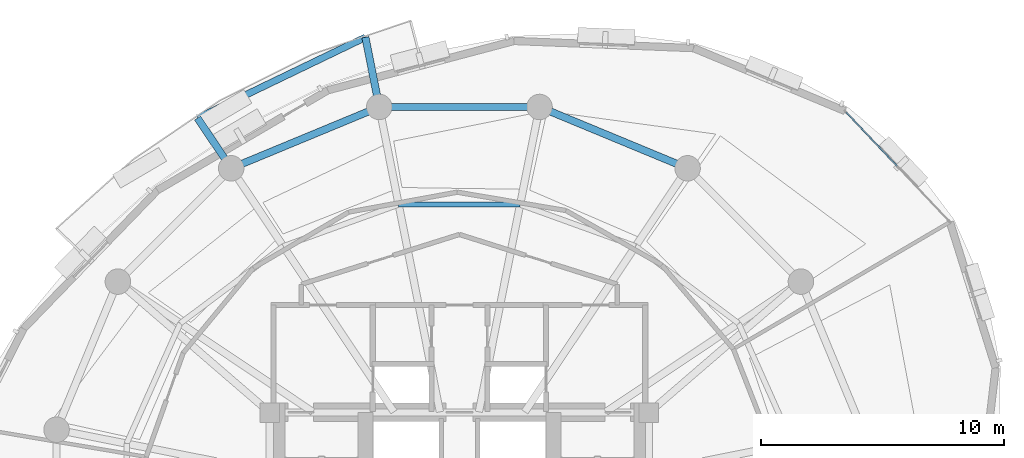
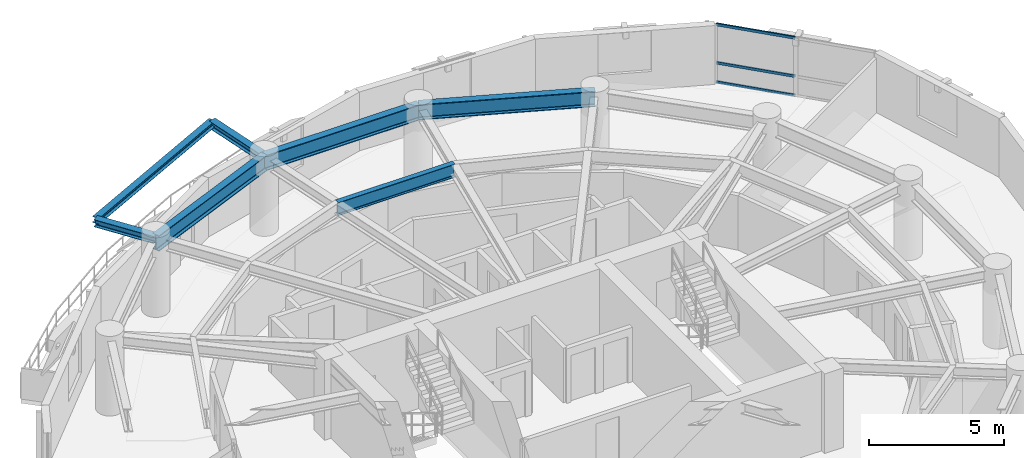
# One storey, part 7 of 14: 7 beams, 3 members, 1 element without a shape of its own.
"""IFC4 building model written with IfcOpenShell, lengths in metres."""

from ifc_helpers import new_model, si_unit, direction, frame, origin, origin_2d, place, context, subcontext, project, spatial, hollow_rectangle, i_section, extrude, material, layer, layer_set, material_profile, profile_set, type_object, element, aggregate, save


model = new_model("IFC4")

# Units and contexts
model_context = context("Model", 3, precision=1e-05, world=origin(), true_north=direction((0.0, 1.0)))
body_context = subcontext(model_context, "Body", "Model", "MODEL_VIEW")
ifc_project = project(units=[si_unit("LENGTHUNIT", "METRE"), si_unit("AREAUNIT", "SQUARE_METRE"), si_unit("VOLUMEUNIT", "CUBIC_METRE"), si_unit("PLANEANGLEUNIT", "RADIAN"), si_unit("MASSUNIT", "GRAM", prefix="KILO"), si_unit("THERMODYNAMICTEMPERATUREUNIT", "KELVIN"), si_unit("POWERUNIT", "WATT")], contexts=[model_context])

# Site, building, storey
site_placement = place(None, origin())
site = spatial("IfcSite", under=ifc_project, at=site_placement, CompositionType="ELEMENT")
building_placement = place(site_placement, origin())
building = spatial("IfcBuilding", under=site, at=building_placement, Name="Ocrelia Relay Tower", CompositionType="ELEMENT")
storey_placement = place(building_placement, frame((0.0, 0.0, 162.800048828125)))
storey = spatial("IfcBuildingStorey", under=building, at=storey_placement, Name="L38", CompositionType="ELEMENT", Elevation=162.800048828125)

# Beams
ifc_material_1 = material(Name="Steel S355", Category="steel")
ifc_material_profile_1 = material_profile(ifc_material_1, i_section(OverallWidth=0.280029296875, OverallDepth=0.27001953125, WebThickness=0.008056640625, FlangeThickness=0.012939453125, FilletRadius=0.02392578125, at=origin_2d()), Name="HEA 280")
ifc_profile_set_1 = profile_set([ifc_material_profile_1], Name="Steel S355")
beam_type_1 = type_object("IfcBeamType", Name="BM-HEA280", PredefinedType="BEAM", material=ifc_profile_set_1)
beam_1_placement = place(storey_placement, frame((30.1328125, 45.4423828125, 3.244873046875), z_axis=(-0.900981832354, -0.433856817129, 0.0), x_axis=(0.433856817129, -0.900981832354, 0.0)))
element("IfcBeam", 1, at=beam_1_placement, inside=storey, type_object=beam_type_1, Name="L39 Balcony Edge Trimmer Beam B1", PredefinedType="BEAM", context=body_context, shape_type="SweptSolid", body=[
    extrude(i_section(OverallWidth=0.280029296875, OverallDepth=0.27001953125, WebThickness=0.008056640625, FlangeThickness=0.012939453125, FilletRadius=0.02392578125, at=origin_2d()), origin(), (0.0, 0.0, 1.0), 7.661376953125),
])
ifc_material_profile_2 = material_profile(ifc_material_1, i_section(OverallWidth=0.300048828125, OverallDepth=0.330078125, WebThickness=0.009521484375, FlangeThickness=0.0166015625, FilletRadius=0.027099609375, at=origin_2d()), Name="HEA 340")
ifc_profile_set_2 = profile_set([ifc_material_profile_2], Name="Steel S355")
beam_type_2 = type_object("IfcBeamType", Name="BM-HEA340", PredefinedType="BEAM", material=ifc_profile_set_2)
beam_2_placement = place(storey_placement, frame((30.702880859375, 42.5751953125, 3.21484375), z_axis=(-0.195007828368, 0.980801685804, 0.0), x_axis=(-0.980801685804, -0.195007828368, 0.0)))
element("IfcBeam", 2, at=beam_2_placement, inside=storey, type_object=beam_type_2, Name="L39 Balcony Cantilever Beam B1-1", PredefinedType="BEAM", context=body_context, shape_type="SweptSolid", body=[
    extrude(i_section(OverallWidth=0.300048828125, OverallDepth=0.330078125, WebThickness=0.009521484375, FlangeThickness=0.0166015625, FilletRadius=0.027099609375, at=origin_2d()), origin(), (0.0, 0.0, 1.0), 2.92333984375),
])
beam_3_placement = place(storey_placement, frame((24.61083984375, 40.0517578125, 3.21484375), z_axis=(-0.555561257704, 0.831475609347, 0.0), x_axis=(-0.831475609347, -0.555561257704, 0.0)))
element("IfcBeam", 3, at=beam_3_placement, inside=storey, type_object=beam_type_2, Name="L39 Balcony Cantilever Beam B1-2", PredefinedType="BEAM", context=body_context, shape_type="SweptSolid", body=[
    extrude(i_section(OverallWidth=0.300048828125, OverallDepth=0.330078125, WebThickness=0.009521484375, FlangeThickness=0.0166015625, FilletRadius=0.027099609375, at=origin_2d()), origin(), (0.0, 0.0, 1.0), 2.485595703125),
])
ifc_material_profile_3 = material_profile(ifc_material_1, i_section(OverallWidth=0.300048828125, OverallDepth=0.699951171875, WebThickness=0.01708984375, FlangeThickness=0.031982421875, FilletRadius=0.027099609375, at=origin_2d()), Name="HEB 700")
ifc_profile_set_3 = profile_set([ifc_material_profile_3], Name="Steel S355")
beam_type_3 = type_object("IfcBeamType", Name="BM-HEB700", PredefinedType="BEAM", material=ifc_profile_set_3)
beam_4_placement = place(storey_placement, frame((43.38916015625, 40.0517578125, 3.030029296875), z_axis=(-0.923877844151, 0.382687508402, 0.0), x_axis=(-0.382687508402, -0.923877844151, 0.0)))
element("IfcBeam", 4, at=beam_4_placement, inside=storey, type_object=beam_type_3, Name="L38 Perimeter Spandrel Beam S03", PredefinedType="BEAM", context=body_context, shape_type="SweptSolid", body=[
    extrude(i_section(OverallWidth=0.300048828125, OverallDepth=0.699951171875, WebThickness=0.01708984375, FlangeThickness=0.031982421875, FilletRadius=0.027099609375, at=origin_2d()), origin(), (0.0, 0.0, 1.0), 6.593994140625),
])
beam_5_placement = place(storey_placement, frame((37.297119140625, 42.5751953125, 3.030029296875), z_axis=(-1.0, 0.0, 0.0), x_axis=(0.0, -1.0, 0.0)))
element("IfcBeam", 5, at=beam_5_placement, inside=storey, type_object=beam_type_3, Name="L38 Perimeter Spandrel Beam S04", PredefinedType="BEAM", context=body_context, shape_type="SweptSolid", body=[
    extrude(i_section(OverallWidth=0.300048828125, OverallDepth=0.699951171875, WebThickness=0.01708984375, FlangeThickness=0.031982421875, FilletRadius=0.027099609375, at=origin_2d()), origin(), (0.0, 0.0, 1.0), 6.59423828125),
])
beam_6_placement = place(storey_placement, frame((30.702880859375, 42.5751953125, 3.030029296875), z_axis=(-0.923877844151, -0.382687508402, 0.0), x_axis=(0.382687508402, -0.923877844151, 0.0)))
element("IfcBeam", 6, at=beam_6_placement, inside=storey, type_object=beam_type_3, Name="L38 Perimeter Spandrel Beam S05", PredefinedType="BEAM", context=body_context, shape_type="SweptSolid", body=[
    extrude(i_section(OverallWidth=0.300048828125, OverallDepth=0.699951171875, WebThickness=0.01708984375, FlangeThickness=0.031982421875, FilletRadius=0.027099609375, at=origin_2d()), origin(), (0.0, 0.0, 1.0), 6.593994140625),
])
ifc_material_profile_4 = material_profile(ifc_material_1, i_section(OverallWidth=0.219970703125, OverallDepth=0.60009765625, WebThickness=0.011962890625, FlangeThickness=0.01904296875, FilletRadius=0.02392578125, at=origin_2d()), Name="IPE 600")
ifc_profile_set_4 = profile_set([ifc_material_profile_4], Name="Steel S355")
beam_type_4 = type_object("IfcBeamType", Name="BM-IPE600", PredefinedType="JOIST", material=ifc_profile_set_4)
beam_7_placement = place(storey_placement, frame((36.49853515625, 38.560791015625, 3.079833984375), z_axis=(-1.0, 0.0, 0.0), x_axis=(0.0, -1.0, 0.0)))
element("IfcBeam", 7, at=beam_7_placement, inside=storey, type_object=beam_type_4, Name="L38 Secondary Floor Joist J04", PredefinedType="JOIST", context=body_context, shape_type="SweptSolid", body=[
    extrude(i_section(OverallWidth=0.219970703125, OverallDepth=0.60009765625, WebThickness=0.011962890625, FlangeThickness=0.01904296875, FilletRadius=0.02392578125, at=origin_2d()), origin(), (0.0, 0.0, 1.0), 4.9970703125),
])

# Curtain wall, members
ifc_material_2 = material(Name="Aluminium and solar-control low-E glass", Category="aluminium")
ifc_layer = layer(ifc_material_2, 0.179931640625, Name="Aluminium and solar-control low-E glass")
ifc_layer_set = layer_set([ifc_layer], Name="Aluminium and solar-control low-E glass")
curtain_wall_type = type_object("IfcCurtainWallType", Name="CW-SYS-Z3-CLOU", PredefinedType="NOTDEFINED", material=ifc_layer_set)
curtain_wall_placement = place(storey_placement, origin())
curtain_wall = element("IfcCurtainWall", 8, at=curtain_wall_placement, inside=storey, type_object=curtain_wall_type, Name="L38 Elliptical Tower Curtain Wall Bay 01", PredefinedType="NOTDEFINED")
ifc_material_3 = material(Name="Anodised bronze aluminium", Category="aluminium")
ifc_material_profile_5 = material_profile(ifc_material_3, hollow_rectangle(XDim=0.06005859375, YDim=0.1201171875, WallThickness=0.0048828125, at=origin_2d()), Name="CW-TRN-120x60")
ifc_profile_set_5 = profile_set([ifc_material_profile_5], Name="Anodised bronze aluminium")
member_type = type_object("IfcMemberType", Name="CW-SYS-Z3-CLOU-TRN", PredefinedType="USERDEFINED", material=ifc_profile_set_5)
member_1_placement = place(storey_placement, frame((52.0029296875, 40.14794921875, 0.030029296875), z_axis=(-0.686811924222, 0.72683518128, 0.0), x_axis=(-0.72683518128, -0.686811924222, 0.0)))
member_1 = element("IfcMember", 9, at=member_1_placement, type_object=member_type, Name="CW-Z3 transom 2.1", ObjectType="TRANSOM", PredefinedType="USERDEFINED", context=body_context, shape_type="SweptSolid", body=[
    extrude(hollow_rectangle(XDim=0.06005859375, YDim=0.1201171875, WallThickness=0.0048828125, at=origin_2d()), origin(), (0.0, 0.0, 1.0), 3.0439453125),
])
member_2_placement = place(storey_placement, frame((52.0029296875, 40.14794921875, 0.89990234375), z_axis=(-0.686811924222, 0.72683518128, 0.0), x_axis=(-0.72683518128, -0.686811924222, 0.0)))
member_2 = element("IfcMember", 10, at=member_2_placement, type_object=member_type, Name="CW-Z3 transom 2.2", ObjectType="TRANSOM", PredefinedType="USERDEFINED", context=body_context, shape_type="SweptSolid", body=[
    extrude(hollow_rectangle(XDim=0.06005859375, YDim=0.1201171875, WallThickness=0.0048828125, at=origin_2d()), origin(), (0.0, 0.0, 1.0), 3.0439453125),
])
member_3_placement = place(storey_placement, frame((52.0029296875, 40.14794921875, 2.6298828125), z_axis=(-0.686811924222, 0.72683518128, 0.0), x_axis=(-0.72683518128, -0.686811924222, 0.0)))
member_3 = element("IfcMember", 11, at=member_3_placement, type_object=member_type, Name="CW-Z3 transom 2.3", ObjectType="TRANSOM", PredefinedType="USERDEFINED", context=body_context, shape_type="SweptSolid", body=[
    extrude(hollow_rectangle(XDim=0.06005859375, YDim=0.1201171875, WallThickness=0.0048828125, at=origin_2d()), origin(), (0.0, 0.0, 1.0), 3.0439453125),
])
aggregate(curtain_wall, [member_1, member_2, member_3])

save(model, "model.ifc")
